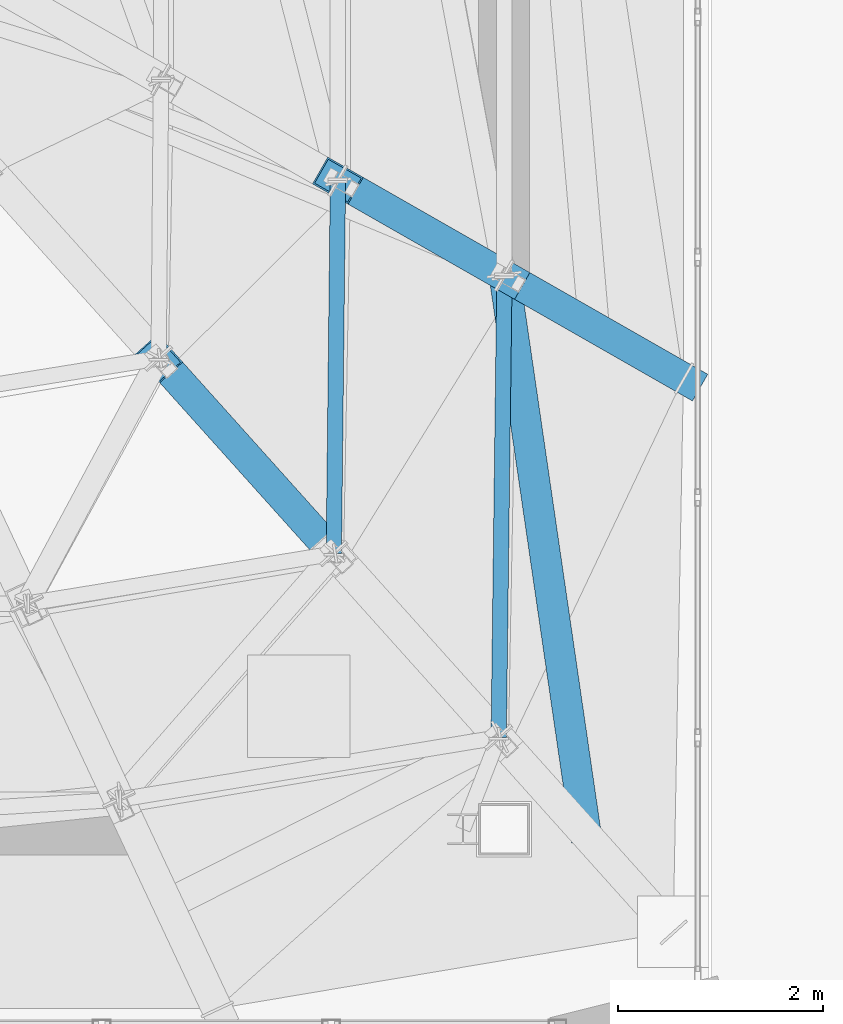
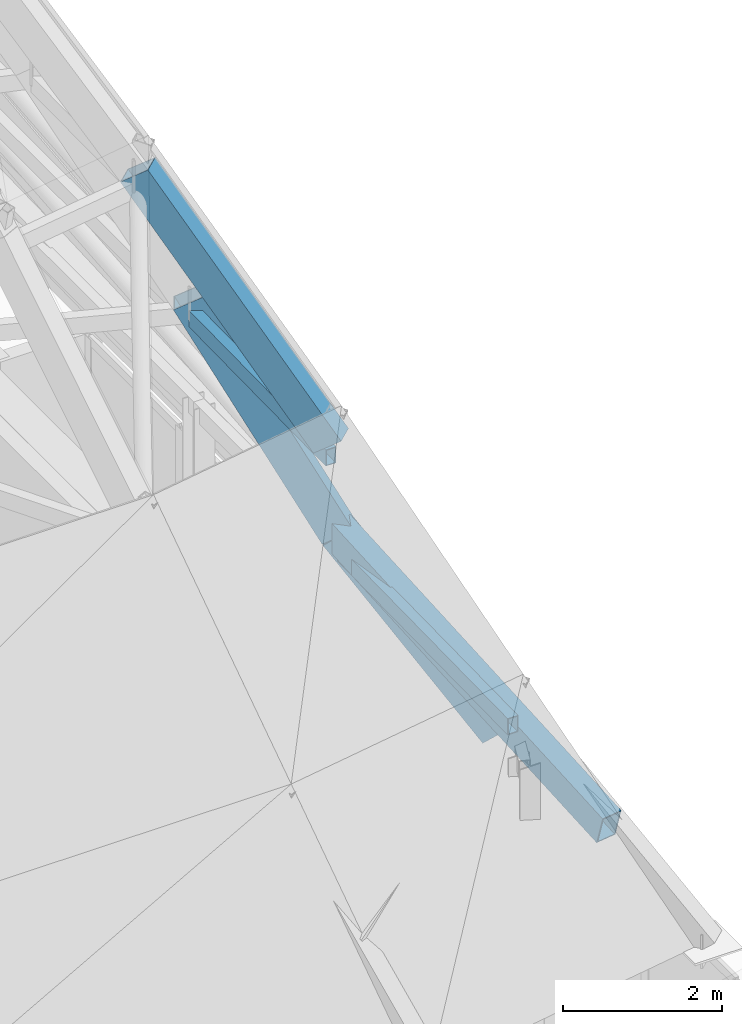
# One storey, part 8 of 30: 6 members.
"""IFC4 building model written with IfcOpenShell, lengths in metres."""

import ifcopenshell
import ifcopenshell.guid

model = None  # the IFC model being written
_history = None  # IfcOwnerHistory: only IFC2X3 demands one
_inside = {}  # id of a spatial element -> (the spatial element, [elements in it])
_under = {}  # id of a project, library or spatial element -> (it, [spatial elements below it])
_declared = {}  # id of a project -> (the project, [libraries it declares])
_typed = {}  # id of a type object -> (the type object, [elements of that type])
_made_of = {}  # id of a material, layer set ... -> (it, [elements and type objects made of it])


def new_model(schema):
    """Start an empty IFC model of exactly this schema.

    Asked for "IFC4X3", IfcOpenShell would pick the latest addendum, in which some entities
    have other attributes; the version numbers below select the first issue.
    IFC2X3 requires an IfcOwnerHistory on every rooted entity: one is made here for all.
    """
    global model, _history
    if schema == "IFC4X3":
        model = ifcopenshell.file(schema_version=(4, 3, 0, 0))
    else:
        model = ifcopenshell.file(schema=schema)
    _inside.clear()
    _under.clear()
    _declared.clear()
    _typed.clear()
    _made_of.clear()
    _history = None
    if model.schema == "IFC2X3":
        org = make("IfcOrganization", Name="unknown")
        user = make(
            "IfcPersonAndOrganization",
            ThePerson=make("IfcPerson", FamilyName="unknown"),
            TheOrganization=org,
        )
        app = make(
            "IfcApplication",
            ApplicationDeveloper=org,
            Version="unknown",
            ApplicationFullName="unknown",
            ApplicationIdentifier="unknown",
        )
        _history = make(
            "IfcOwnerHistory",
            OwningUser=user,
            OwningApplication=app,
            ChangeAction="ADDED",
            CreationDate=0,
        )
    return model


def make(cls, **values):
    """One entity of the class cls with the attributes given. An attribute that is None is left unset."""
    return model.create_entity(
        cls, **{name: value for name, value in values.items() if value is not None}
    )


def rooted(cls, **values):
    """An entity with a GlobalId (a new one), such as an element, a storey or a relation."""
    return make(cls, GlobalId=ifcopenshell.guid.new(), OwnerHistory=_history, **values)


def si_unit(unit_type, name, prefix=None):
    """IfcSIUnit, for example si_unit("LENGTHUNIT", "METRE", prefix="MILLI")."""
    return make("IfcSIUnit", UnitType=unit_type, Prefix=prefix, Name=name)


def assignment(units):
    """IfcUnitAssignment: the units of a project."""
    return None if units is None else make("IfcUnitAssignment", Units=units)


def point(xyz):
    """IfcCartesianPoint."""
    return None if xyz is None else make("IfcCartesianPoint", Coordinates=xyz)


def direction(xyz):
    """IfcDirection."""
    return None if xyz is None else make("IfcDirection", DirectionRatios=xyz)


def frame(location, z_axis=None, x_axis=None):
    """IfcAxis2Placement3D, a coordinate frame: its origin and axes. An axis left out is left unset."""
    return make(
        "IfcAxis2Placement3D",
        Location=point(location),
        Axis=direction(z_axis),
        RefDirection=direction(x_axis),
    )


def frame_2d(location, x_axis=None):
    """IfcAxis2Placement2D, a coordinate frame in the plane: its origin and x axis."""
    return make(
        "IfcAxis2Placement2D", Location=point(location), RefDirection=direction(x_axis)
    )


def origin():
    """The frame at (0, 0, 0) with its axes left unset."""
    return frame((0.0, 0.0, 0.0))


def origin_2d():
    """The frame at (0, 0) in the plane with its x axis left unset."""
    return frame_2d((0.0, 0.0))


def place(relative_to, where):
    """IfcLocalPlacement: puts the frame where relative to a parent placement (None: the world)."""
    return make(
        "IfcLocalPlacement", PlacementRelTo=relative_to, RelativePlacement=where
    )


def context(
    kind, dimensions, precision=None, world=None, true_north=None, identifier=None
):
    """IfcGeometricRepresentationContext, for example the 3D "Model" context."""
    return make(
        "IfcGeometricRepresentationContext",
        ContextIdentifier=identifier,
        ContextType=kind,
        CoordinateSpaceDimension=dimensions,
        Precision=precision,
        WorldCoordinateSystem=world,
        TrueNorth=true_north,
    )


def subcontext(parent, identifier, kind, view, scale=None):
    """IfcGeometricRepresentationSubContext, for example "Body" below "Model"."""
    return make(
        "IfcGeometricRepresentationSubContext",
        ContextIdentifier=identifier,
        ContextType=kind,
        ParentContext=parent,
        TargetScale=scale,
        TargetView=view,
    )


def project(units=None, contexts=None):
    """IfcProject with its units and contexts."""
    return rooted(
        "IfcProject",
        Name="project",
        RepresentationContexts=contexts,
        UnitsInContext=assignment(units),
    )


def spatial(cls, under=None, at=None, **own):
    """A site, building, storey or space (cls), placed at a placement, below another one or the project."""
    s = rooted(cls, ObjectPlacement=at, **own)
    if under is not None:
        _under.setdefault(under.id(), (under, []))[1].append(s)
    return s


def profile(cls, at=None, kind="AREA", **sizes):
    """A parametric profile (cls). Its sizes go by their IFC names, for example OverallWidth=200.0."""
    return make(cls, ProfileType=kind, Position=at, **sizes)


def hollow_rectangle(**sizes):
    """IfcRectangleHollowProfileDef."""
    return profile("IfcRectangleHollowProfileDef", **sizes)


def extrude(swept, where, along, depth):
    """IfcExtrudedAreaSolid: the profile swept, set in the frame where, extruded along a direction by depth."""
    return make(
        "IfcExtrudedAreaSolid",
        SweptArea=swept,
        Position=where,
        ExtrudedDirection=direction(along),
        Depth=depth,
    )


def shape(context_of_items, identifier, shape_type, items):
    """IfcShapeRepresentation: the items that make up one representation, for example the "Body"."""
    return make(
        "IfcShapeRepresentation",
        ContextOfItems=context_of_items,
        RepresentationIdentifier=identifier,
        RepresentationType=shape_type,
        Items=items,
    )


def material(Name=None, Category=None):
    """IfcMaterial."""
    return make("IfcMaterial", Name=Name, Category=Category)


def material_profile(
    of_material, cross_section, Name=None, Category=None, Priority=None
):
    """IfcMaterialProfile: a cross section and its material."""
    return make(
        "IfcMaterialProfile",
        Name=Name,
        Material=of_material,
        Profile=cross_section,
        Priority=Priority,
        Category=Category,
    )


def profile_set(profiles, Name=None, composite=None):
    """IfcMaterialProfileSet."""
    return make(
        "IfcMaterialProfileSet",
        Name=Name,
        MaterialProfiles=profiles,
        CompositeProfile=composite,
    )


def made_of(thing, what):
    """Note that an element or type object is made of a material, layer set ...; save() writes the relation."""
    if what is not None:
        _made_of.setdefault(what.id(), (what, []))[1].append(thing)
    return thing


def type_object(cls, material=None, **own):
    """A type object (cls), such as IfcWallType, which elements share."""
    return made_of(rooted(cls, **own), material)


def element(
    cls,
    number,
    at=None,
    inside=None,
    cuts=None,
    type_object=None,
    material=None,
    context=None,
    identifier="Body",
    shape_type=None,
    held_by="IfcProductDefinitionShape",
    body=None,
    shapes=None,
    **own,
):
    """One element of the class cls, such as IfcWall. Its Tag is "e" and its number.

    at: its placement. inside: the storey or other place that contains it. cuts: it is an
    opening in that element (IfcRelVoidsElement). A single representation is given by context,
    identifier, shape_type and body (its items); several are given by shapes. held_by: the class
    of the entity that holds the representations. save() writes the other relations.
    """
    e = rooted(cls, Tag="e%d" % number, ObjectPlacement=at, **own)
    if body is not None:
        shapes = [shape(context, identifier, shape_type, body)]
    if shapes is not None:
        e.Representation = make(held_by, Representations=shapes)
    if inside is not None:
        _inside.setdefault(inside.id(), (inside, []))[1].append(e)
    if cuts is not None:
        rooted(
            "IfcRelVoidsElement", RelatingBuildingElement=cuts, RelatedOpeningElement=e
        )
    if type_object is not None:
        _typed.setdefault(type_object.id(), (type_object, []))[1].append(e)
    return made_of(e, material)


def aggregate(whole, parts):
    """IfcRelAggregates: a whole, such as a stair, and the parts it consists of."""
    return rooted("IfcRelAggregates", RelatingObject=whole, RelatedObjects=parts)


def save(model, path):
    """Write the relations noted so far, then the file.

    IfcRelAggregates (storeys below a building ...), IfcRelContainedInSpatialStructure (elements
    in a storey), IfcRelDefinesByType, IfcRelAssociatesMaterial and IfcRelDeclares: one each for
    every whole, place, type object, material and project.
    """
    for whole, parts in _under.values():
        aggregate(whole, parts)
    for where, things in _inside.values():
        rooted(
            "IfcRelContainedInSpatialStructure",
            RelatedElements=things,
            RelatingStructure=where,
        )
    for kind, things in _typed.values():
        rooted("IfcRelDefinesByType", RelatedObjects=things, RelatingType=kind)
    for what, things in _made_of.values():
        rooted("IfcRelAssociatesMaterial", RelatedObjects=things, RelatingMaterial=what)
    for by, libraries in _declared.values():
        rooted("IfcRelDeclares", RelatingContext=by, RelatedDefinitions=libraries)
    model.write(path)


model = new_model("IFC4")

# Units and contexts
model_context = context("Model", 3, precision=1e-05, world=origin(), true_north=direction((0.0, 1.0)))
body_context = subcontext(model_context, "Body", "Model", "MODEL_VIEW")
ifc_project = project(units=[si_unit("LENGTHUNIT", "METRE"), si_unit("AREAUNIT", "SQUARE_METRE"), si_unit("VOLUMEUNIT", "CUBIC_METRE"), si_unit("PLANEANGLEUNIT", "RADIAN"), si_unit("MASSUNIT", "GRAM", prefix="KILO")], contexts=[model_context])

# Site, building, storey
site_placement = place(None, origin())
site = spatial("IfcSite", under=ifc_project, at=site_placement, CompositionType="ELEMENT")
building_placement = place(site_placement, origin())
building = spatial("IfcBuilding", under=site, at=building_placement, Name="Haolan Belvedere Tower", CompositionType="ELEMENT")
storey_placement = place(building_placement, frame((0.0, 0.0, 333.0)))
storey = spatial("IfcBuildingStorey", under=building, at=storey_placement, Name="L83", CompositionType="ELEMENT", Elevation=333.0)

# Members
ifc_material = material(Name="Steel Q355B", Category="steel")
ifc_material_profile_1 = material_profile(ifc_material, hollow_rectangle(XDim=0.300048828125, YDim=0.449951171875, WallThickness=0.01611328125, at=origin_2d()), Name="Steel Q355B")
ifc_profile_set_1 = profile_set([ifc_material_profile_1], Name="Steel Q355B")
member_type_1 = type_object("IfcMemberType", Name="MEM-BOX450x300x16", PredefinedType="RAFTER", material=ifc_profile_set_1)
member_1_placement = place(storey_placement, frame((47.59912109375, 26.34814453125, 6.302001953125), z_axis=(-0.139086711874, 0.953780183025, 0.266379896106), x_axis=(-0.989533904233, -0.144300562622, 0.0)))
element("IfcMember", 1, at=member_1_placement, inside=storey, type_object=member_type_1, Name="Crown frame Tier-1 diagonal hip rafter 04", PredefinedType="RAFTER", context=body_context, shape_type="SweptSolid", body=[
    extrude(hollow_rectangle(XDim=0.300048828125, YDim=0.449951171875, WallThickness=0.01611328125, at=origin_2d()), origin(), (0.0, 0.0, 1.0), 5.713623046875),
])
member_2_placement = place(storey_placement, frame((48.550048828125, 30.800048828125, 4.780029296875), z_axis=(-0.478510978204, 0.273453966006, 0.834416066608), x_axis=(-0.496165092397, -0.868228196436, 0.0)))
element("IfcMember", 2, at=member_2_placement, inside=storey, type_object=member_type_1, Name="Crown frame sloped hip rafter T1-05", PredefinedType="RAFTER", context=body_context, shape_type="SweptSolid", body=[
    extrude(hollow_rectangle(XDim=0.300048828125, YDim=0.449951171875, WallThickness=0.01611328125, at=origin_2d()), origin(), (0.0, 0.0, 1.0), 3.64794921875),
])
member_3_placement = place(storey_placement, frame((46.804443359375, 31.797607421875, 7.823974609375), z_axis=(-0.399745836216, 0.228417607255, 0.887709785416), x_axis=(-0.496124881772, -0.868251174308, 0.0)))
element("IfcMember", 3, at=member_3_placement, inside=storey, type_object=member_type_1, Name="Crown frame sloped hip rafter T2-05", PredefinedType="RAFTER", context=body_context, shape_type="SweptSolid", body=[
    extrude(hollow_rectangle(XDim=0.300048828125, YDim=0.449951171875, WallThickness=0.01611328125, at=origin_2d()), origin(), (0.0, 0.0, 1.0), 4.062744140625),
])
member_4_placement = place(storey_placement, frame((45.140380859375, 29.088134765625, 11.430419921875), z_axis=(-0.386029796319, 0.430215258858, 0.816024403679), x_axis=(-0.744294586256, -0.667851457189, 0.0)))
element("IfcMember", 4, at=member_4_placement, inside=storey, type_object=member_type_1, Name="Crown frame sloped hip rafter T3-04", PredefinedType="RAFTER", context=body_context, shape_type="SweptSolid", body=[
    extrude(hollow_rectangle(XDim=0.300048828125, YDim=0.449951171875, WallThickness=0.01611328125, at=origin_2d()), origin(), (0.0, 0.0, 1.0), 4.42578125),
])
ifc_material_profile_2 = material_profile(ifc_material, hollow_rectangle(XDim=0.14990234375, YDim=0.25, WallThickness=0.010009765625, at=origin_2d()), Name="Steel Q355B")
ifc_profile_set_2 = profile_set([ifc_material_profile_2], Name="Steel Q355B")
member_type_2 = type_object("IfcMemberType", Name="MEM-RHS250x150x10", PredefinedType="PURLIN", material=ifc_profile_set_2)
member_5_placement = place(storey_placement, frame((46.74853515625, 27.296142578125, 7.583984375), z_axis=(0.012419044347, 0.999922880695, 0.0), x_axis=(-0.999922880695, 0.012419044347, 0.0)))
element("IfcMember", 5, at=member_5_placement, inside=storey, type_object=member_type_2, Name="Crown frame horizontal ring purlin T1-04", PredefinedType="PURLIN", context=body_context, shape_type="SweptSolid", body=[
    extrude(hollow_rectangle(XDim=0.14990234375, YDim=0.25, WallThickness=0.010009765625, at=origin_2d()), origin(), (0.0, 0.0, 1.0), 4.501708984375),
])
member_6_placement = place(storey_placement, frame((45.140380859375, 29.088134765625, 11.1904296875), z_axis=(0.011006783372, 0.999939423525, 0.0), x_axis=(-0.999939423525, 0.011006783372, 0.0)))
element("IfcMember", 6, at=member_6_placement, inside=storey, type_object=member_type_2, Name="Crown frame horizontal ring purlin T2-04", PredefinedType="PURLIN", context=body_context, shape_type="SweptSolid", body=[
    extrude(hollow_rectangle(XDim=0.14990234375, YDim=0.25, WallThickness=0.010009765625, at=origin_2d()), origin(), (0.0, 0.0, 1.0), 3.6376953125),
])

save(model, "model.ifc")
